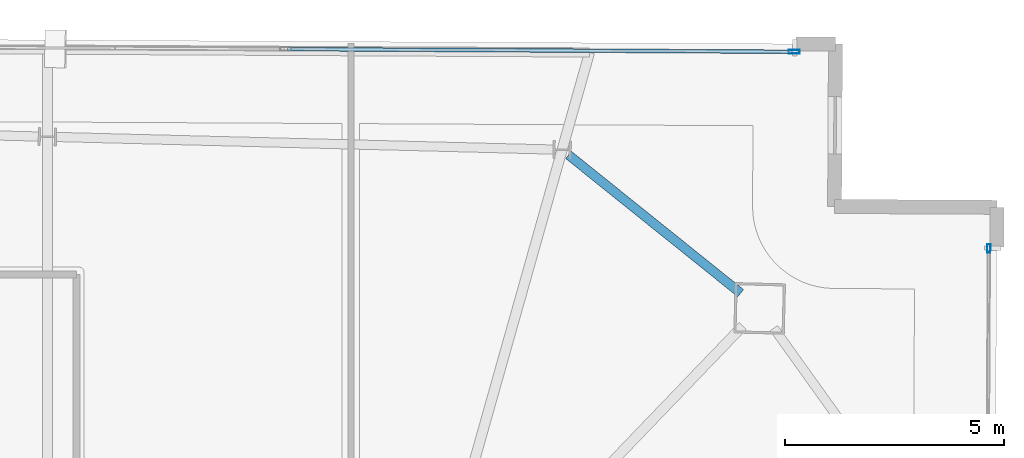
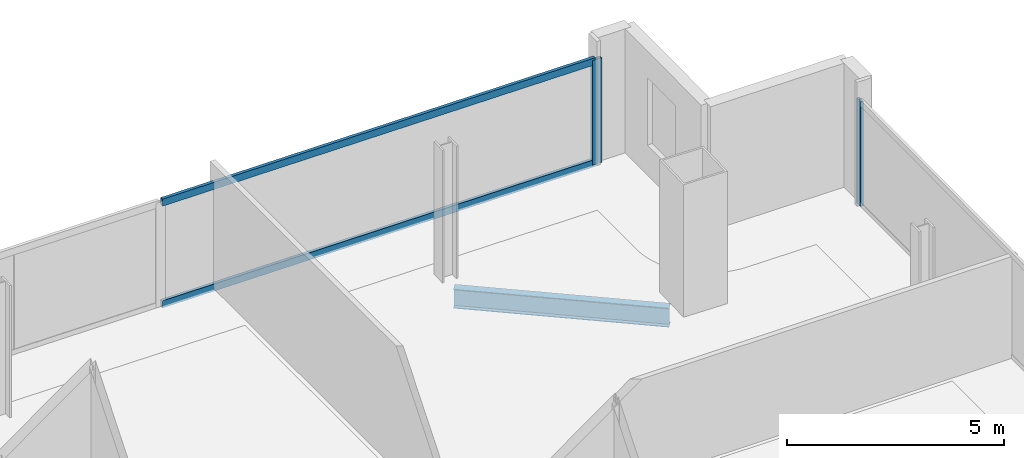
# One storey, part 17 of 24: 4 members, 1 beam, 2 elements without a shape of their own.
"""IFC4 building model written with IfcOpenShell, lengths in metres."""

from ifc_helpers import new_model, si_unit, direction, frame, origin, origin_2d, place, context, subcontext, project, spatial, hollow_rectangle, i_section, extrude, material, material_profile, profile_set, type_object, element, aggregate, save


model = new_model("IFC4")

# Units and contexts
model_context = context("Model", 3, precision=1e-05, world=origin(), true_north=direction((0.0, 1.0)))
body_context = subcontext(model_context, "Body", "Model", "MODEL_VIEW")
ifc_project = project(units=[si_unit("LENGTHUNIT", "METRE"), si_unit("AREAUNIT", "SQUARE_METRE"), si_unit("VOLUMEUNIT", "CUBIC_METRE"), si_unit("PLANEANGLEUNIT", "RADIAN"), si_unit("MASSUNIT", "GRAM", prefix="KILO")], contexts=[model_context])

# Site, building, storey
site_placement = place(None, origin())
site = spatial("IfcSite", under=ifc_project, at=site_placement, CompositionType="ELEMENT")
building_placement = place(site_placement, origin())
building = spatial("IfcBuilding", under=site, at=building_placement, Name="Haldenkirk Collegiate Tower", CompositionType="ELEMENT")
storey_placement = place(building_placement, frame((0.0, 0.0, 328.949951171875)))
storey = spatial("IfcBuildingStorey", under=building, at=storey_placement, Name="L83", CompositionType="ELEMENT", Elevation=328.949951171875)

# Beam
ifc_material_1 = material(Name="Steel ASTM A992 Grade 50", Category="steel")
ifc_material_profile_1 = material_profile(ifc_material_1, i_section(OverallWidth=0.2099609375, OverallDepth=0.537109375, WebThickness=0.010986328125, FlangeThickness=0.017333984375, at=origin_2d()), Name="W21X68")
ifc_profile_set_1 = profile_set([ifc_material_profile_1], Name="Steel ASTM A992 Grade 50")
beam_type = type_object("IfcBeamType", Name="BM-SPANDREL-W21X68", PredefinedType="SPANDREL", material=ifc_profile_set_1)
beam_placement = place(storey_placement, frame((52.380859375, 42.477294921875, -0.528564453125), z_axis=(-0.779721728928, 0.626126205678, 0.0), x_axis=(-0.626126205678, -0.779721728928, 0.0)))
element("IfcBeam", 1, at=beam_placement, inside=storey, type_object=beam_type, Name="L83 perimeter spandrel beam 05", PredefinedType="SPANDREL", context=body_context, shape_type="SweptSolid", body=[
    extrude(i_section(OverallWidth=0.2099609375, OverallDepth=0.537109375, WebThickness=0.010986328125, FlangeThickness=0.017333984375, at=origin_2d()), origin(), (0.0, 0.0, 1.0), 5.03076171875),
])

# Curtain wall, member
ifc_material_2 = material(Name="Anodised architectural bronze aluminium", Category="aluminium")
curtain_wall_type_1 = type_object("IfcCurtainWallType", Name="CW-SYS2-CONCAVE", PredefinedType="USERDEFINED", material=ifc_material_2)
curtain_wall_1_placement = place(storey_placement, origin())
curtain_wall_1 = element("IfcCurtainWall", 2, at=curtain_wall_1_placement, inside=storey, type_object=curtain_wall_type_1, Name="L83 South concave recessed bronze-anodised curtain wall", ObjectType="UNITISED CURTAIN WALL", PredefinedType="USERDEFINED")
ifc_material_profile_2 = material_profile(ifc_material_2, hollow_rectangle(XDim=0.074951171875, YDim=0.18994140625, WallThickness=0.0048828125, at=origin_2d()), Name="CW-MUL-02")
ifc_profile_set_2 = profile_set([ifc_material_profile_2], Name="Anodised architectural bronze aluminium")
member_type_1 = type_object("IfcMemberType", Name="CW-MUL-02", PredefinedType="MULLION", material=ifc_profile_set_2)
member_1_placement = place(storey_placement, frame((58.036865234375, 43.497314453125, 0.0), z_axis=(0.0, 0.0, 1.0), x_axis=(0.999986296614, -0.00523512989, 0.0)))
member_1 = element("IfcMember", 3, at=member_1_placement, type_object=member_type_1, Name="CW-02 mullion 1", PredefinedType="MULLION", context=body_context, shape_type="SweptSolid", body=[
    extrude(hollow_rectangle(XDim=0.074951171875, YDim=0.18994140625, WallThickness=0.0048828125, at=origin_2d()), origin(), (0.0, 0.0, 1.0), 2.947998046875),
])
aggregate(curtain_wall_1, [member_1])

# Curtain wall, members
curtain_wall_type_2 = type_object("IfcCurtainWallType", Name="CW-SYS1B-CONVEX-HI", PredefinedType="USERDEFINED", material=ifc_material_2)
curtain_wall_2_placement = place(storey_placement, origin())
curtain_wall_2 = element("IfcCurtainWall", 4, at=curtain_wall_2_placement, inside=storey, type_object=curtain_wall_type_2, Name="L83 Upper tower high-wind convex bronze unitised curtain wall", ObjectType="UNITISED CURTAIN WALL", PredefinedType="USERDEFINED")
ifc_material_profile_3 = material_profile(ifc_material_2, hollow_rectangle(XDim=0.0849609375, YDim=0.25, WallThickness=0.0048828125, at=origin_2d()), Name="CW-MUL-1B")
ifc_profile_set_3 = profile_set([ifc_material_profile_3], Name="Anodised architectural bronze aluminium")
member_type_2 = type_object("IfcMemberType", Name="CW-MUL-1B", PredefinedType="MULLION", material=ifc_profile_set_3)
member_2_placement = place(storey_placement, frame((53.597900390625, 47.97802734375, 0.0), z_axis=(0.0, 0.0, 1.0), x_axis=(0.005238727924, 0.999986277771, 0.0)))
member_2 = element("IfcMember", 5, at=member_2_placement, type_object=member_type_2, Name="CW-1B mullion 4", PredefinedType="MULLION", context=body_context, shape_type="SweptSolid", body=[
    extrude(hollow_rectangle(XDim=0.0849609375, YDim=0.25, WallThickness=0.0048828125, at=origin_2d()), origin(), (0.0, 0.0, 1.0), 2.947998046875),
])
ifc_material_profile_4 = material_profile(ifc_material_2, hollow_rectangle(XDim=0.0849609375, YDim=0.199951171875, WallThickness=0.0048828125, at=origin_2d()), Name="CW-TRN-1B")
ifc_profile_set_4 = profile_set([ifc_material_profile_4], Name="Anodised architectural bronze aluminium")
member_type_3 = type_object("IfcMemberType", Name="CW-TRN-1B", PredefinedType="USERDEFINED", material=ifc_profile_set_4)
member_3_placement = place(storey_placement, frame((42.05810546875, 48.03857421875, 0.04248046875), z_axis=(0.999986245581, -0.005244868721, 0.0), x_axis=(0.005244868721, 0.999986245581, 0.0)))
member_3 = element("IfcMember", 6, at=member_3_placement, type_object=member_type_3, Name="CW-1B transom 3.1", ObjectType="TRANSOM", PredefinedType="USERDEFINED", context=body_context, shape_type="SweptSolid", body=[
    extrude(hollow_rectangle(XDim=0.0849609375, YDim=0.199951171875, WallThickness=0.0048828125, at=origin_2d()), origin(), (0.0, 0.0, 1.0), 11.49755859375),
])
member_4_placement = place(storey_placement, frame((42.05810546875, 48.03857421875, 2.905517578125), z_axis=(0.999986245581, -0.005244868721, 0.0), x_axis=(0.005244868721, 0.999986245581, 0.0)))
member_4 = element("IfcMember", 7, at=member_4_placement, type_object=member_type_3, Name="CW-1B transom 3.2", ObjectType="TRANSOM", PredefinedType="USERDEFINED", context=body_context, shape_type="SweptSolid", body=[
    extrude(hollow_rectangle(XDim=0.0849609375, YDim=0.199951171875, WallThickness=0.0048828125, at=origin_2d()), origin(), (0.0, 0.0, 1.0), 11.49755859375),
])
aggregate(curtain_wall_2, [member_2, member_3, member_4])

save(model, "model.ifc")
